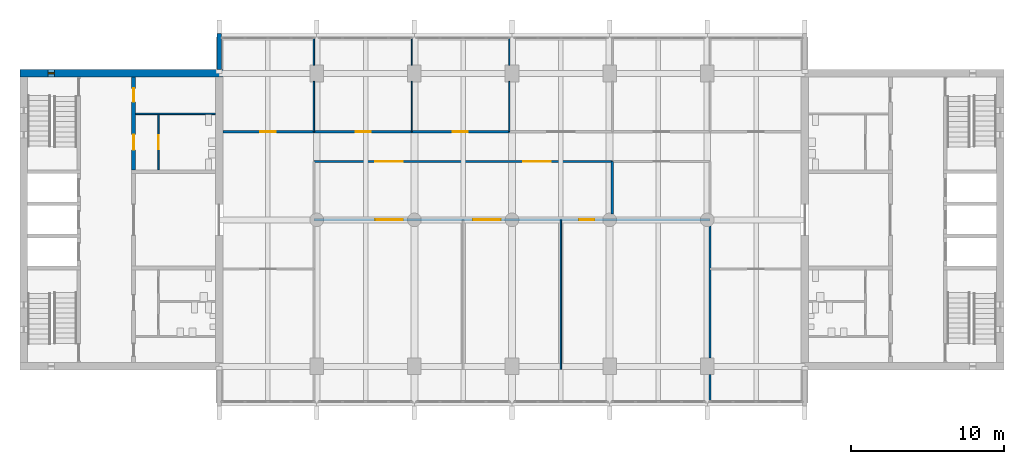
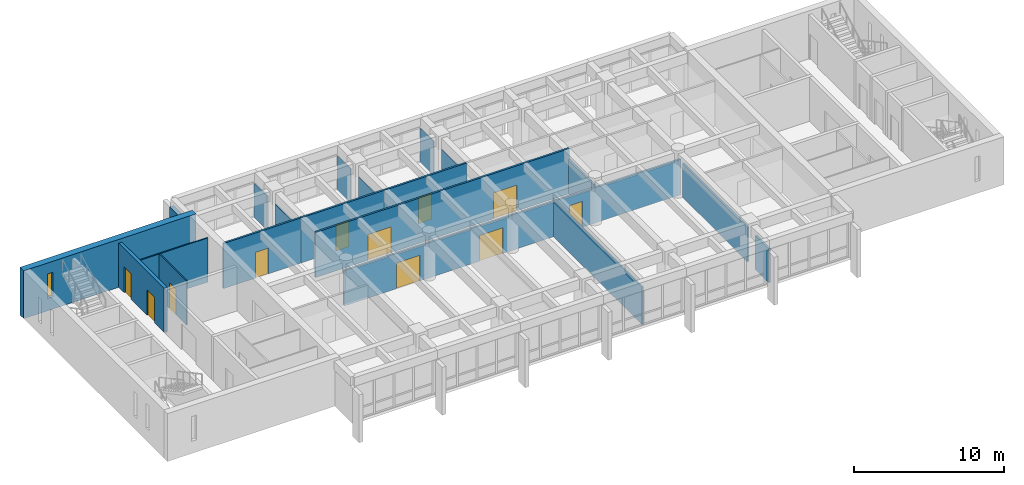
# One storey, part 10 of 15: 20 walls, 11 doors, 1 window, 12 openings.
"""IFC4 building model written with IfcOpenShell, lengths in metres."""

from ifc_helpers import new_model, si_unit, direction, frame, frame_2d, origin, place, context, subcontext, project, spatial, rectangle, extrude, material, layer, layer_set, type_object, element, fill, save


model = new_model("IFC4")

# Units and contexts
model_context = context("Model", 3, precision=1e-05, world=origin(), true_north=direction((0.0, 1.0)))
body_context = subcontext(model_context, "Body", "Model", "MODEL_VIEW")
ifc_project = project(units=[si_unit("LENGTHUNIT", "METRE"), si_unit("AREAUNIT", "SQUARE_METRE"), si_unit("VOLUMEUNIT", "CUBIC_METRE"), si_unit("PLANEANGLEUNIT", "RADIAN"), si_unit("MASSUNIT", "GRAM", prefix="KILO")], contexts=[model_context])

# Site, building, storey
site_placement = place(None, origin())
site = spatial("IfcSite", under=ifc_project, at=site_placement, CompositionType="ELEMENT")
building_placement = place(site_placement, origin())
building = spatial("IfcBuilding", under=site, at=building_placement, Name="Fogon Plaza Fire Station and Headquarters Tower", CompositionType="ELEMENT")
storey_placement = place(building_placement, frame((0.0, 0.0, 44.39990234375)))
storey = spatial("IfcBuildingStorey", under=building, at=storey_placement, Name="L11", CompositionType="ELEMENT", Elevation=44.39990234375)

# Wall, openings, doors
ifc_material_1 = material(Name="Concrete C40", Category="concrete")
ifc_layer_1 = layer(ifc_material_1, 0.25)
ifc_layer_set_1 = layer_set([ifc_layer_1], Name="Concrete C40")
wall_type_1 = type_object("IfcWallType", Name="Core Wall RC 250", PredefinedType="SOLIDWALL", material=ifc_layer_set_1)
wall_1_placement = place(storey_placement, frame((20.0, 46.47509765625, 0.0), z_axis=(0.0, 0.0, 1.0), x_axis=(0.0, 1.0, 0.0)))
wall_1 = element("IfcWall", 1, at=wall_1_placement, inside=storey, type_object=wall_type_1, Name="Core A shaft wall", PredefinedType="SOLIDWALL", context=body_context, shape_type="SweptSolid", body=[
    extrude(rectangle(XDim=6.074951171875, YDim=0.25, at=frame_2d((3.03759765625, 0.0))), origin(), (0.0, 0.0, 1.0), 3.60009765625),
])
opening_1_placement = place(wall_1_placement, frame((1.3125, 0.0, 0.0)))
opening_1 = element("IfcOpeningElement", 2, at=opening_1_placement, cuts=wall_1, Name="Opening L11-D12", PredefinedType="OPENING", context=body_context, shape_type="SweptSolid", body=[
    extrude(rectangle(XDim=1.0, YDim=2.10009765625, at=frame_2d((0.5, 1.050048828125))), frame((0.0, 0.135009765625, 0.0), z_axis=(0.0, -1.0, 0.0), x_axis=(1.0, 0.0, 0.0)), (0.0, 0.0, 1.0), 0.27001953125),
])
opening_2_placement = place(wall_1_placement, frame((4.449951171875, 0.0, 0.0)))
opening_2 = element("IfcOpeningElement", 3, at=opening_2_placement, cuts=wall_1, Name="Opening L11-D14", PredefinedType="OPENING", context=body_context, shape_type="SweptSolid", body=[
    extrude(rectangle(XDim=0.89990234375, YDim=2.10009765625, at=frame_2d((0.449951171875, 1.050048828125))), frame((0.0, 0.135009765625, 0.0), z_axis=(0.0, -1.0, 0.0), x_axis=(1.0, 0.0, 0.0)), (0.0, 0.0, 1.0), 0.27001953125),
])
ifc_material_2 = material(Name="Steel Fire Door Leaf", Category="steel")
door_type_1 = type_object("IfcDoorType", Name="Riser Single 900x2100", OperationType="SINGLE_SWING_LEFT", PredefinedType="DOOR", material=ifc_material_2)
door_1_placement = place(opening_2_placement, frame((0.89990234375, 0.0, 0.0), z_axis=(0.0, 0.0, 1.0), x_axis=(-1.0, 0.0, 0.0)))
door_1 = element("IfcDoor", 4, at=door_1_placement, inside=storey, type_object=door_type_1, Name="Riser room A door", OperationType="SINGLE_SWING_LEFT", OverallHeight=2.10009765625, OverallWidth=0.89990234375, PredefinedType="DOOR", context=body_context, shape_type="SweptSolid", body=[
    extrude(rectangle(XDim=0.89990234375, YDim=2.10009765625, at=frame_2d((0.449951171875, 1.050048828125))), frame((0.0, 0.02490234375, 0.0), z_axis=(0.0, -1.0, 0.0), x_axis=(1.0, 0.0, 0.0)), (0.0, 0.0, 1.0), 0.050048828125),
])
fill(opening_2, door_1)
ifc_material_3 = material(Name="Timber fire door", Category="wood")
door_type_2 = type_object("IfcDoorType", Name="WC Lobby Single 1000x2100", OperationType="SINGLE_SWING_LEFT", PredefinedType="DOOR", material=ifc_material_3)
door_2_placement = place(opening_1_placement, frame((1.0, 0.0, 0.0), z_axis=(0.0, 0.0, 1.0), x_axis=(-1.0, 0.0, 0.0)))
door_2 = element("IfcDoor", 5, at=door_2_placement, inside=storey, type_object=door_type_2, Name="Women's WC lobby A door", OperationType="SINGLE_SWING_LEFT", OverallHeight=2.10009765625, OverallWidth=1.0, PredefinedType="DOOR", context=body_context, shape_type="SweptSolid", body=[
    extrude(rectangle(XDim=1.0, YDim=2.10009765625, at=frame_2d((0.5, 1.050048828125))), frame((0.0, 0.02490234375, 0.0), z_axis=(0.0, -1.0, 0.0), x_axis=(1.0, 0.0, 0.0)), (0.0, 0.0, 1.0), 0.050048828125),
])
fill(opening_1, door_2)

# Wall
ifc_material_4 = material(Name="Concrete C40", Category="concrete")
ifc_layer_2 = layer(ifc_material_4, 0.300048828125)
ifc_layer_set_2 = layer_set([ifc_layer_2], Name="Concrete C40")
wall_type_2 = type_object("IfcWallType", Name="Fair-faced RC Return Panel 300", PredefinedType="SOLIDWALL", material=ifc_layer_set_2)
wall_2_placement = place(storey_placement, frame((25.60009765625, 53.050048828125, 0.0), z_axis=(0.0, 0.0, 1.0), x_axis=(0.0, 1.0, 0.0)))
element("IfcWall", 6, at=wall_2_placement, inside=storey, type_object=wall_type_2, Name="Bar end return WN L11", PredefinedType="SOLIDWALL", context=body_context, shape_type="SweptSolid", body=[
    extrude(rectangle(XDim=2.349853515625, YDim=0.300048828125, at=frame_2d((1.1748046875, 0.0))), origin(), (0.0, 0.0, 1.0), 2.880126953125),
])

# Wall, opening, door
ifc_material_5 = material(Name="Blockwork", Category="masonry")
ifc_layer_3 = layer(ifc_material_5, 0.10009765625)
ifc_layer_set_3 = layer_set([ifc_layer_3], Name="Blockwork")
wall_type_3 = type_object("IfcWallType", Name="Partition Blockwork 100", PredefinedType="PARTITIONING", material=ifc_layer_set_3)
wall_3_placement = place(storey_placement, frame((21.625, 46.47509765625, 0.0), z_axis=(0.0, 0.0, 1.0), x_axis=(0.0, 1.0, 0.0)))
wall_3 = element("IfcWall", 7, at=wall_3_placement, inside=storey, type_object=wall_type_3, Name="WC block partition", PredefinedType="PARTITIONING", context=body_context, shape_type="SweptSolid", body=[
    extrude(rectangle(XDim=3.625, YDim=0.10009765625, at=frame_2d((1.8125, 0.0))), origin(), (0.0, 0.0, 1.0), 3.60009765625),
])
opening_3_placement = place(wall_3_placement, frame((1.362548828125, 0.0, 0.0)))
opening_3 = element("IfcOpeningElement", 8, at=opening_3_placement, cuts=wall_3, Name="Opening L11-D13", PredefinedType="OPENING", context=body_context, shape_type="SweptSolid", body=[
    extrude(rectangle(XDim=0.89990234375, YDim=2.10009765625, at=frame_2d((0.449951171875, 1.050048828125))), frame((0.0, 0.06005859375, 0.0), z_axis=(0.0, -1.0, 0.0), x_axis=(1.0, 0.0, 0.0)), (0.0, 0.0, 1.0), 0.1201171875),
])
ifc_material_6 = material(Name="Timber Door Leaf", Category="wood")
door_type_3 = type_object("IfcDoorType", Name="WC Single 900x2100", OperationType="SINGLE_SWING_LEFT", PredefinedType="DOOR", material=ifc_material_6)
door_3_placement = place(opening_3_placement, frame((0.89990234375, 0.0, 0.0), z_axis=(0.0, 0.0, 1.0), x_axis=(-1.0, 0.0, 0.0)))
door_3 = element("IfcDoor", 9, at=door_3_placement, inside=storey, type_object=door_type_3, Name="Women's WC A door", OperationType="SINGLE_SWING_RIGHT", OverallHeight=2.10009765625, OverallWidth=0.89990234375, PredefinedType="DOOR", context=body_context, shape_type="SweptSolid", body=[
    extrude(rectangle(XDim=0.89990234375, YDim=2.10009765625, at=frame_2d((0.449951171875, 1.050048828125))), frame((0.0, 0.02490234375, 0.0), z_axis=(0.0, -1.0, 0.0), x_axis=(1.0, 0.0, 0.0)), (0.0, 0.0, 1.0), 0.050048828125),
])
fill(opening_3, door_3)

# Wall
ifc_material_7 = material(Name="Blockwork", Category="masonry")
ifc_layer_4 = layer(ifc_material_7, 0.10009765625)
ifc_layer_set_4 = layer_set([ifc_layer_4], Name="Blockwork")
wall_type_4 = type_object("IfcWallType", Name="Riser Partition Blockwork 100", PredefinedType="PARTITIONING", material=ifc_layer_set_4)
wall_4_placement = place(storey_placement, frame((20.125, 50.14990234375, 0.0), z_axis=(0.0, 0.0, 1.0), x_axis=(1.0, 0.0, 0.0)))
element("IfcWall", 10, at=wall_4_placement, inside=storey, type_object=wall_type_4, Name="Riser room partition", PredefinedType="PARTITIONING", context=body_context, shape_type="SweptSolid", body=[
    extrude(rectangle(XDim=5.22509765625, YDim=0.10009765625, at=frame_2d((2.612548828125, 0.0))), origin(), (0.0, 0.0, 1.0), 3.60009765625),
])

# Wall, opening, window
ifc_material_8 = material(Name="Concrete C40", Category="concrete")
ifc_layer_5 = layer(ifc_material_8, 0.5)
ifc_layer_set_5 = layer_set([ifc_layer_5], Name="Concrete C40")
wall_type_5 = type_object("IfcWallType", Name="Shear wall 500 SW50", PredefinedType="SHEAR", material=ifc_layer_set_5)
wall_5_placement = place(storey_placement, frame((12.550048828125, 52.800048828125, 0.0), z_axis=(0.0, 0.0, 1.0), x_axis=(1.0, 0.0, 0.0)))
wall_5 = element("IfcWall", 11, at=wall_5_placement, inside=storey, type_object=wall_type_5, Name="wall-coreA-N-L11", PredefinedType="SHEAR", context=body_context, shape_type="SweptSolid", body=[
    extrude(rectangle(XDim=13.300048828125, YDim=0.5, at=frame_2d((6.64990234375, 0.0))), origin(), (0.0, 0.0, 1.0), 3.900146484375),
])
opening_4_placement = place(wall_5_placement, frame((1.85009765625, 0.0, 1.0)))
opening_4 = element("IfcOpeningElement", 12, at=opening_4_placement, cuts=wall_5, Name="Opening WS1", PredefinedType="OPENING", context=body_context, shape_type="SweptSolid", body=[
    extrude(rectangle(XDim=0.39990234375, YDim=2.0, at=frame_2d((0.199951171875, 1.0))), frame((0.0, 0.260009765625, 0.0), z_axis=(0.0, -1.0, 0.0), x_axis=(1.0, 0.0, 0.0)), (0.0, 0.0, 1.0), 0.52001953125),
])
ifc_material_9 = material(Name="Aluminium framed double glazing", Category="aluminium")
window_type = type_object("IfcWindowType", Name="Slit Window WS1 400x2000", PartitioningType="SINGLE_PANEL", PredefinedType="WINDOW", material=ifc_material_9)
window_placement = place(opening_4_placement, origin())
window = element("IfcWindow", 13, at=window_placement, inside=storey, type_object=window_type, Name="Slit window A6 L11", OverallHeight=2.0, OverallWidth=0.39990234375, PartitioningType="SINGLE_PANEL", PredefinedType="WINDOW", context=body_context, shape_type="SweptSolid", body=[
    extrude(rectangle(XDim=0.39990234375, YDim=2.0, at=frame_2d((0.199951171875, 1.0))), frame((0.0, 0.030029296875, 0.0), z_axis=(0.0, -1.0, 0.0), x_axis=(1.0, 0.0, 0.0)), (0.0, 0.0, 1.0), 0.06005859375),
])
fill(opening_4, window)

# Wall, openings, doors
ifc_material_10 = material(Name="Gypsum board on steel stud", Category="steel")
ifc_layer_6 = layer(ifc_material_10, 0.14990234375)
ifc_layer_set_6 = layer_set([ifc_layer_6], Name="Gypsum board on steel stud")
wall_type_6 = type_object("IfcWallType", Name="Tower corridor partition 150 EI 60", PredefinedType="PARTITIONING", material=ifc_layer_set_6)
wall_6_placement = place(storey_placement, frame((31.820068359375, 47.02490234375, 0.0), z_axis=(0.0, 0.0, 1.0), x_axis=(1.0, 0.0, 0.0)))
wall_6 = element("IfcWall", 14, at=wall_6_placement, inside=storey, type_object=wall_type_6, Name="part-L11-03", PredefinedType="PARTITIONING", context=body_context, shape_type="SweptSolid", body=[
    extrude(rectangle(XDim=19.559814453125, YDim=0.14990234375, at=frame_2d((9.77978515625, 0.0))), origin(), (0.0, 0.0, 1.0), 3.68017578125),
])
opening_5_placement = place(wall_6_placement, frame((4.030029296875, 0.0, 0.0)))
opening_5 = element("IfcOpeningElement", 15, at=opening_5_placement, cuts=wall_6, Name="Opening L11-D29", PredefinedType="OPENING", context=body_context, shape_type="SweptSolid", body=[
    extrude(rectangle(XDim=1.800048828125, YDim=2.10009765625, at=frame_2d((0.89990234375, 1.050048828125))), frame((0.0, 0.0849609375, 0.0), z_axis=(0.0, -1.0, 0.0), x_axis=(1.0, 0.0, 0.0)), (0.0, 0.0, 1.0), 0.169921875),
])
opening_6_placement = place(wall_6_placement, frame((13.72998046875, 0.0, 0.0)))
opening_6 = element("IfcOpeningElement", 16, at=opening_6_placement, cuts=wall_6, Name="Opening L11-D30", PredefinedType="OPENING", context=body_context, shape_type="SweptSolid", body=[
    extrude(rectangle(XDim=1.800048828125, YDim=2.10009765625, at=frame_2d((0.89990234375, 1.050048828125))), frame((0.0, 0.0849609375, 0.0), z_axis=(0.0, -1.0, 0.0), x_axis=(1.0, 0.0, 0.0)), (0.0, 0.0, 1.0), 0.169921875),
])
ifc_material_11 = material(Name="Timber fire door", Category="wood")
door_type_4 = type_object("IfcDoorType", Name="Tower fire door double 1800 EI 20", OperationType="DOUBLE_DOOR_SINGLE_SWING", PredefinedType="DOOR", material=ifc_material_11)
door_4_placement = place(opening_5_placement, origin())
door_4 = element("IfcDoor", 17, at=door_4_placement, inside=storey, type_object=door_type_4, Name="door-L11-01", OperationType="DOUBLE_DOOR_SINGLE_SWING", OverallHeight=2.10009765625, OverallWidth=1.800048828125, PredefinedType="DOOR", context=body_context, shape_type="SweptSolid", body=[
    extrude(rectangle(XDim=1.800048828125, YDim=2.10009765625, at=frame_2d((0.89990234375, 1.050048828125))), frame((0.0, 0.02490234375, 0.0), z_axis=(0.0, -1.0, 0.0), x_axis=(1.0, 0.0, 0.0)), (0.0, 0.0, 1.0), 0.050048828125),
])
fill(opening_5, door_4)
door_5_placement = place(opening_6_placement, origin())
door_5 = element("IfcDoor", 18, at=door_5_placement, inside=storey, type_object=door_type_4, Name="door-L11-02", OperationType="DOUBLE_DOOR_SINGLE_SWING", OverallHeight=2.10009765625, OverallWidth=1.800048828125, PredefinedType="DOOR", context=body_context, shape_type="SweptSolid", body=[
    extrude(rectangle(XDim=1.800048828125, YDim=2.10009765625, at=frame_2d((0.89990234375, 1.050048828125))), frame((0.0, 0.02490234375, 0.0), z_axis=(0.0, -1.0, 0.0), x_axis=(1.0, 0.0, 0.0)), (0.0, 0.0, 1.0), 0.050048828125),
])
fill(opening_6, door_5)

# Wall, opening, door
wall_7_placement = place(storey_placement, frame((25.85009765625, 48.97509765625, 0.0), z_axis=(0.0, 0.0, 1.0), x_axis=(1.0, 0.0, 0.0)))
wall_7 = element("IfcWall", 19, at=wall_7_placement, inside=storey, type_object=wall_type_6, Name="part-L11-06", PredefinedType="PARTITIONING", context=body_context, shape_type="SweptSolid", body=[
    extrude(rectangle(XDim=5.969970703125, YDim=0.14990234375, at=frame_2d((2.98486328125, 0.0))), origin(), (0.0, 0.0, 1.0), 3.68017578125),
])
opening_7_placement = place(wall_7_placement, frame((2.449951171875, 0.0, 0.0)))
opening_7 = element("IfcOpeningElement", 20, at=opening_7_placement, cuts=wall_7, Name="Opening L11-D32", PredefinedType="OPENING", context=body_context, shape_type="SweptSolid", body=[
    extrude(rectangle(XDim=1.0, YDim=2.10009765625, at=frame_2d((0.5, 1.050048828125))), frame((0.0, 0.0849609375, 0.0), z_axis=(0.0, -1.0, 0.0), x_axis=(1.0, 0.0, 0.0)), (0.0, 0.0, 1.0), 0.169921875),
])
ifc_material_12 = material(Name="Timber fire door", Category="wood")
door_type_5 = type_object("IfcDoorType", Name="Tower fire door single 1000 EI 20", OperationType="SINGLE_SWING_LEFT", PredefinedType="DOOR", material=ifc_material_12)
door_6_placement = place(opening_7_placement, origin())
door_6 = element("IfcDoor", 21, at=door_6_placement, inside=storey, type_object=door_type_5, Name="door-L11-04", OperationType="SINGLE_SWING_RIGHT", OverallHeight=2.10009765625, OverallWidth=1.0, PredefinedType="DOOR", context=body_context, shape_type="SweptSolid", body=[
    extrude(rectangle(XDim=1.0, YDim=2.10009765625, at=frame_2d((0.5, 1.050048828125))), frame((0.0, 0.02490234375, 0.0), z_axis=(0.0, -1.0, 0.0), x_axis=(1.0, 0.0, 0.0)), (0.0, 0.0, 1.0), 0.050048828125),
])
fill(opening_7, door_6)

wall_8_placement = place(storey_placement, frame((31.820068359375, 48.97509765625, 0.0), z_axis=(0.0, 0.0, 1.0), x_axis=(1.0, 0.0, 0.0)))
wall_8 = element("IfcWall", 22, at=wall_8_placement, inside=storey, type_object=wall_type_6, Name="part-L11-07", PredefinedType="PARTITIONING", context=body_context, shape_type="SweptSolid", body=[
    extrude(rectangle(XDim=6.39990234375, YDim=0.14990234375, at=frame_2d((3.199951171875, 0.0))), origin(), (0.0, 0.0, 1.0), 3.68017578125),
])
opening_8_placement = place(wall_8_placement, frame((2.72998046875, 0.0, 0.0)))
opening_8 = element("IfcOpeningElement", 23, at=opening_8_placement, cuts=wall_8, Name="Opening L11-D33", PredefinedType="OPENING", context=body_context, shape_type="SweptSolid", body=[
    extrude(rectangle(XDim=1.0, YDim=2.10009765625, at=frame_2d((0.5, 1.050048828125))), frame((0.0, 0.0849609375, 0.0), z_axis=(0.0, -1.0, 0.0), x_axis=(1.0, 0.0, 0.0)), (0.0, 0.0, 1.0), 0.169921875),
])
door_7_placement = place(opening_8_placement, origin())
door_7 = element("IfcDoor", 24, at=door_7_placement, inside=storey, type_object=door_type_5, Name="door-L11-05", OperationType="SINGLE_SWING_LEFT", OverallHeight=2.10009765625, OverallWidth=1.0, PredefinedType="DOOR", context=body_context, shape_type="SweptSolid", body=[
    extrude(rectangle(XDim=1.0, YDim=2.10009765625, at=frame_2d((0.5, 1.050048828125))), frame((0.0, 0.02490234375, 0.0), z_axis=(0.0, -1.0, 0.0), x_axis=(1.0, 0.0, 0.0)), (0.0, 0.0, 1.0), 0.050048828125),
])
fill(opening_8, door_7)

wall_9_placement = place(storey_placement, frame((38.219970703125, 48.97509765625, 0.0), z_axis=(0.0, 0.0, 1.0), x_axis=(1.0, 0.0, 0.0)))
wall_9 = element("IfcWall", 25, at=wall_9_placement, inside=storey, type_object=wall_type_6, Name="part-L11-08", PredefinedType="PARTITIONING", context=body_context, shape_type="SweptSolid", body=[
    extrude(rectangle(XDim=6.400146484375, YDim=0.14990234375, at=frame_2d((3.2001953125, 0.0))), origin(), (0.0, 0.0, 1.0), 3.68017578125),
])
opening_9_placement = place(wall_9_placement, frame((2.679931640625, 0.0, 0.0)))
opening_9 = element("IfcOpeningElement", 26, at=opening_9_placement, cuts=wall_9, Name="Opening L11-D34", PredefinedType="OPENING", context=body_context, shape_type="SweptSolid", body=[
    extrude(rectangle(XDim=1.0, YDim=2.10009765625, at=frame_2d((0.5, 1.050048828125))), frame((0.0, 0.0849609375, 0.0), z_axis=(0.0, -1.0, 0.0), x_axis=(1.0, 0.0, 0.0)), (0.0, 0.0, 1.0), 0.169921875),
])
ifc_material_13 = material(Name="Fire rated glazed door")
door_type_6 = type_object("IfcDoorType", Name="Tower glazed fire door single 1000 EI 20", OperationType="SINGLE_SWING_LEFT", PredefinedType="DOOR", material=ifc_material_13)
door_8_placement = place(opening_9_placement, origin())
door_8 = element("IfcDoor", 27, at=door_8_placement, inside=storey, type_object=door_type_6, Name="door-L11-06", OperationType="SINGLE_SWING_RIGHT", OverallHeight=2.10009765625, OverallWidth=1.0, PredefinedType="DOOR", context=body_context, shape_type="SweptSolid", body=[
    extrude(rectangle(XDim=1.0, YDim=2.10009765625, at=frame_2d((0.5, 1.050048828125))), frame((0.0, 0.02490234375, 0.0), z_axis=(0.0, -1.0, 0.0), x_axis=(1.0, 0.0, 0.0)), (0.0, 0.0, 1.0), 0.050048828125),
])
fill(opening_9, door_8)

# Wall, openings, doors
ifc_material_14 = material(Name="Gypsum board on steel stud", Category="steel")
ifc_layer_7 = layer(ifc_material_14, 0.14990234375)
ifc_layer_set_7 = layer_set([ifc_layer_7], Name="Gypsum board on steel stud")
wall_type_7 = type_object("IfcWallType", Name="Tower corridor partition 150 EI 60 Beam Head 800", PredefinedType="PARTITIONING", material=ifc_layer_set_7)
wall_10_placement = place(storey_placement, frame((31.820068359375, 43.199951171875, 0.0), z_axis=(0.0, 0.0, 1.0), x_axis=(1.0, 0.0, 0.0)))
wall_10 = element("IfcWall", 28, at=wall_10_placement, inside=storey, type_object=wall_type_7, Name="part-L11-22", PredefinedType="PARTITIONING", context=body_context, shape_type="SweptSolid", body=[
    extrude(rectangle(XDim=25.9599609375, YDim=0.14990234375, at=frame_2d((12.97998046875, 0.0))), origin(), (0.0, 0.0, 1.0), 2.880126953125),
])
opening_10_placement = place(wall_10_placement, frame((4.02490234375, 0.0, 0.0)))
opening_10 = element("IfcOpeningElement", 29, at=opening_10_placement, cuts=wall_10, Name="Opening L11-D40", PredefinedType="OPENING", context=body_context, shape_type="SweptSolid", body=[
    extrude(rectangle(XDim=1.800048828125, YDim=2.10009765625, at=frame_2d((0.89990234375, 1.050048828125))), frame((0.0, 0.0849609375, 0.0), z_axis=(0.0, -1.0, 0.0), x_axis=(1.0, 0.0, 0.0)), (0.0, 0.0, 1.0), 0.169921875),
])
opening_11_placement = place(wall_10_placement, frame((10.429931640625, 0.0, 0.0)))
opening_11 = element("IfcOpeningElement", 30, at=opening_11_placement, cuts=wall_10, Name="Opening L11-D41", PredefinedType="OPENING", context=body_context, shape_type="SweptSolid", body=[
    extrude(rectangle(XDim=1.800048828125, YDim=2.10009765625, at=frame_2d((0.89990234375, 1.050048828125))), frame((0.0, 0.0849609375, 0.0), z_axis=(0.0, -1.0, 0.0), x_axis=(1.0, 0.0, 0.0)), (0.0, 0.0, 1.0), 0.169921875),
])
opening_12_placement = place(wall_10_placement, frame((17.3798828125, 0.0, 0.0)))
opening_12 = element("IfcOpeningElement", 31, at=opening_12_placement, cuts=wall_10, Name="Opening L11-D42", PredefinedType="OPENING", context=body_context, shape_type="SweptSolid", body=[
    extrude(rectangle(XDim=1.0, YDim=2.10009765625, at=frame_2d((0.5, 1.050048828125))), frame((0.0, 0.0849609375, 0.0), z_axis=(0.0, -1.0, 0.0), x_axis=(1.0, 0.0, 0.0)), (0.0, 0.0, 1.0), 0.169921875),
])
door_9_placement = place(opening_10_placement, frame((1.800048828125, 0.0, 0.0), z_axis=(0.0, 0.0, 1.0), x_axis=(-1.0, 0.0, 0.0)))
door_9 = element("IfcDoor", 32, at=door_9_placement, inside=storey, type_object=door_type_4, Name="door-L11-12", OperationType="DOUBLE_DOOR_SINGLE_SWING", OverallHeight=2.10009765625, OverallWidth=1.800048828125, PredefinedType="DOOR", context=body_context, shape_type="SweptSolid", body=[
    extrude(rectangle(XDim=1.800048828125, YDim=2.10009765625, at=frame_2d((0.89990234375, 1.050048828125))), frame((0.0, 0.02490234375, 0.0), z_axis=(0.0, -1.0, 0.0), x_axis=(1.0, 0.0, 0.0)), (0.0, 0.0, 1.0), 0.050048828125),
])
fill(opening_10, door_9)
door_10_placement = place(opening_11_placement, frame((1.800048828125, 0.0, 0.0), z_axis=(0.0, 0.0, 1.0), x_axis=(-1.0, 0.0, 0.0)))
door_10 = element("IfcDoor", 33, at=door_10_placement, inside=storey, type_object=door_type_4, Name="door-L11-13", OperationType="DOUBLE_DOOR_SINGLE_SWING", OverallHeight=2.10009765625, OverallWidth=1.800048828125, PredefinedType="DOOR", context=body_context, shape_type="SweptSolid", body=[
    extrude(rectangle(XDim=1.800048828125, YDim=2.10009765625, at=frame_2d((0.89990234375, 1.050048828125))), frame((0.0, 0.02490234375, 0.0), z_axis=(0.0, -1.0, 0.0), x_axis=(1.0, 0.0, 0.0)), (0.0, 0.0, 1.0), 0.050048828125),
])
fill(opening_11, door_10)
door_11_placement = place(opening_12_placement, frame((1.0, 0.0, 0.0), z_axis=(0.0, 0.0, 1.0), x_axis=(-1.0, 0.0, 0.0)))
door_11 = element("IfcDoor", 34, at=door_11_placement, inside=storey, type_object=door_type_5, Name="door-L11-14", OperationType="SINGLE_SWING_LEFT", OverallHeight=2.10009765625, OverallWidth=1.0, PredefinedType="DOOR", context=body_context, shape_type="SweptSolid", body=[
    extrude(rectangle(XDim=1.0, YDim=2.10009765625, at=frame_2d((0.5, 1.050048828125))), frame((0.0, 0.02490234375, 0.0), z_axis=(0.0, -1.0, 0.0), x_axis=(1.0, 0.0, 0.0)), (0.0, 0.0, 1.0), 0.050048828125),
])
fill(opening_12, door_11)

# Walls
ifc_material_15 = material(Name="Gypsum board on steel stud", Category="steel")
ifc_layer_8 = layer(ifc_material_15, 0.14990234375)
ifc_layer_set_8 = layer_set([ifc_layer_8], Name="Gypsum board on steel stud")
wall_type_8 = type_object("IfcWallType", Name="Tower corridor partition 150 EI 60 Beam Head 900", PredefinedType="PARTITIONING", material=ifc_layer_set_8)
wall_11_placement = place(storey_placement, frame((51.3798828125, 43.59228515625, 0.0), z_axis=(0.0, 0.0, 1.0), x_axis=(0.0, 1.0, 0.0)))
element("IfcWall", 35, at=wall_11_placement, inside=storey, type_object=wall_type_8, Name="part-L11-05", PredefinedType="PARTITIONING", context=body_context, shape_type="SweptSolid", body=[
    extrude(rectangle(XDim=3.4326171875, YDim=0.14990234375, at=frame_2d((1.71630859375, 0.0))), origin(), (0.0, 0.0, 1.0), 2.780029296875),
])
wall_12_placement = place(storey_placement, frame((57.780029296875, 31.300048828125, 0.0), z_axis=(0.0, 0.0, 1.0), x_axis=(0.0, 1.0, 0.0)))
element("IfcWall", 36, at=wall_12_placement, inside=storey, type_object=wall_type_8, Name="part-L11-28", PredefinedType="PARTITIONING", context=body_context, shape_type="SweptSolid", body=[
    extrude(rectangle(XDim=1.77001953125, YDim=0.14990234375, at=frame_2d((0.885009765625, 0.0))), origin(), (0.0, 0.0, 1.0), 2.780029296875),
])
wall_13_placement = place(storey_placement, frame((57.780029296875, 34.1298828125, 0.0), z_axis=(0.0, 0.0, 1.0), x_axis=(0.0, 1.0, 0.0)))
element("IfcWall", 37, at=wall_13_placement, inside=storey, type_object=wall_type_8, Name="part-L11-29", PredefinedType="PARTITIONING", context=body_context, shape_type="SweptSolid", body=[
    extrude(rectangle(XDim=8.677734375, YDim=0.14990234375, at=frame_2d((4.3388671875, 0.0))), origin(), (0.0, 0.0, 1.0), 2.780029296875),
])
ifc_material_16 = material(Name="Glazed aluminium partition", Category="aluminium")
ifc_layer_9 = layer(ifc_material_16, 0.074951171875)
ifc_layer_set_9 = layer_set([ifc_layer_9], Name="Glazed aluminium partition")
wall_type_9 = type_object("IfcWallType", Name="Tower glazed partition 75 Beam Head 900", PredefinedType="PARTITIONING", material=ifc_layer_set_9)
wall_14_placement = place(storey_placement, frame((38.219970703125, 48.97509765625, 0.0), z_axis=(0.0, 0.0, 1.0), x_axis=(0.0, 1.0, 0.0)))
element("IfcWall", 38, at=wall_14_placement, inside=storey, type_object=wall_type_9, Name="part-L11-14", PredefinedType="PARTITIONING", context=body_context, shape_type="SweptSolid", body=[
    extrude(rectangle(XDim=3.294921875, YDim=0.074951171875, at=frame_2d((1.6474609375, 0.0))), origin(), (0.0, 0.0, 1.0), 2.780029296875),
])
wall_15_placement = place(storey_placement, frame((38.219970703125, 53.330078125, 0.0), z_axis=(0.0, 0.0, 1.0), x_axis=(0.0, 1.0, 0.0)))
element("IfcWall", 39, at=wall_15_placement, inside=storey, type_object=wall_type_9, Name="part-L11-15", PredefinedType="PARTITIONING", context=body_context, shape_type="SweptSolid", body=[
    extrude(rectangle(XDim=1.77001953125, YDim=0.074951171875, at=frame_2d((0.885009765625, 0.0))), origin(), (0.0, 0.0, 1.0), 2.780029296875),
])
wall_16_placement = place(storey_placement, frame((44.6201171875, 48.97509765625, 0.0), z_axis=(0.0, 0.0, 1.0), x_axis=(0.0, 1.0, 0.0)))
element("IfcWall", 40, at=wall_16_placement, inside=storey, type_object=wall_type_9, Name="part-L11-16", PredefinedType="PARTITIONING", context=body_context, shape_type="SweptSolid", body=[
    extrude(rectangle(XDim=3.294921875, YDim=0.074951171875, at=frame_2d((1.6474609375, 0.0))), origin(), (0.0, 0.0, 1.0), 2.780029296875),
])
wall_17_placement = place(storey_placement, frame((44.6201171875, 53.330078125, 0.0), z_axis=(0.0, 0.0, 1.0), x_axis=(0.0, 1.0, 0.0)))
element("IfcWall", 41, at=wall_17_placement, inside=storey, type_object=wall_type_9, Name="part-L11-17", PredefinedType="PARTITIONING", context=body_context, shape_type="SweptSolid", body=[
    extrude(rectangle(XDim=1.77001953125, YDim=0.074951171875, at=frame_2d((0.885009765625, 0.0))), origin(), (0.0, 0.0, 1.0), 2.780029296875),
])
ifc_material_17 = material(Name="Gypsum board on steel stud", Category="steel")
ifc_layer_10 = layer(ifc_material_17, 0.10009765625)
ifc_layer_set_10 = layer_set([ifc_layer_10], Name="Gypsum board on steel stud")
wall_type_10 = type_object("IfcWallType", Name="Tower office partition 100 Beam Head 600", PredefinedType="PARTITIONING", material=ifc_layer_set_10)
wall_18_placement = place(storey_placement, frame((48.0, 31.300048828125, 0.0), z_axis=(0.0, 0.0, 1.0), x_axis=(0.0, 1.0, 0.0)))
element("IfcWall", 42, at=wall_18_placement, inside=storey, type_object=wall_type_10, Name="part-L11-02", PredefinedType="PARTITIONING", context=body_context, shape_type="SweptSolid", body=[
    extrude(rectangle(XDim=11.89990234375, YDim=0.10009765625, at=frame_2d((5.949951171875, 0.0))), origin(), (0.0, 0.0, 1.0), 3.080078125),
])
ifc_material_18 = material(Name="Gypsum board on steel stud", Category="steel")
ifc_layer_11 = layer(ifc_material_18, 0.10009765625)
ifc_layer_set_11 = layer_set([ifc_layer_11], Name="Gypsum board on steel stud")
wall_type_11 = type_object("IfcWallType", Name="Tower office partition 100 Beam Head 900", PredefinedType="PARTITIONING", material=ifc_layer_set_11)
wall_19_placement = place(storey_placement, frame((31.820068359375, 48.97509765625, 0.0), z_axis=(0.0, 0.0, 1.0), x_axis=(0.0, 1.0, 0.0)))
element("IfcWall", 43, at=wall_19_placement, inside=storey, type_object=wall_type_11, Name="part-L11-12", PredefinedType="PARTITIONING", context=body_context, shape_type="SweptSolid", body=[
    extrude(rectangle(XDim=3.294921875, YDim=0.10009765625, at=frame_2d((1.6474609375, 0.0))), origin(), (0.0, 0.0, 1.0), 2.780029296875),
])
wall_20_placement = place(storey_placement, frame((31.820068359375, 53.330078125, 0.0), z_axis=(0.0, 0.0, 1.0), x_axis=(0.0, 1.0, 0.0)))
element("IfcWall", 44, at=wall_20_placement, inside=storey, type_object=wall_type_11, Name="part-L11-13", PredefinedType="PARTITIONING", context=body_context, shape_type="SweptSolid", body=[
    extrude(rectangle(XDim=1.77001953125, YDim=0.10009765625, at=frame_2d((0.885009765625, 0.0))), origin(), (0.0, 0.0, 1.0), 2.780029296875),
])

save(model, "model.ifc")
